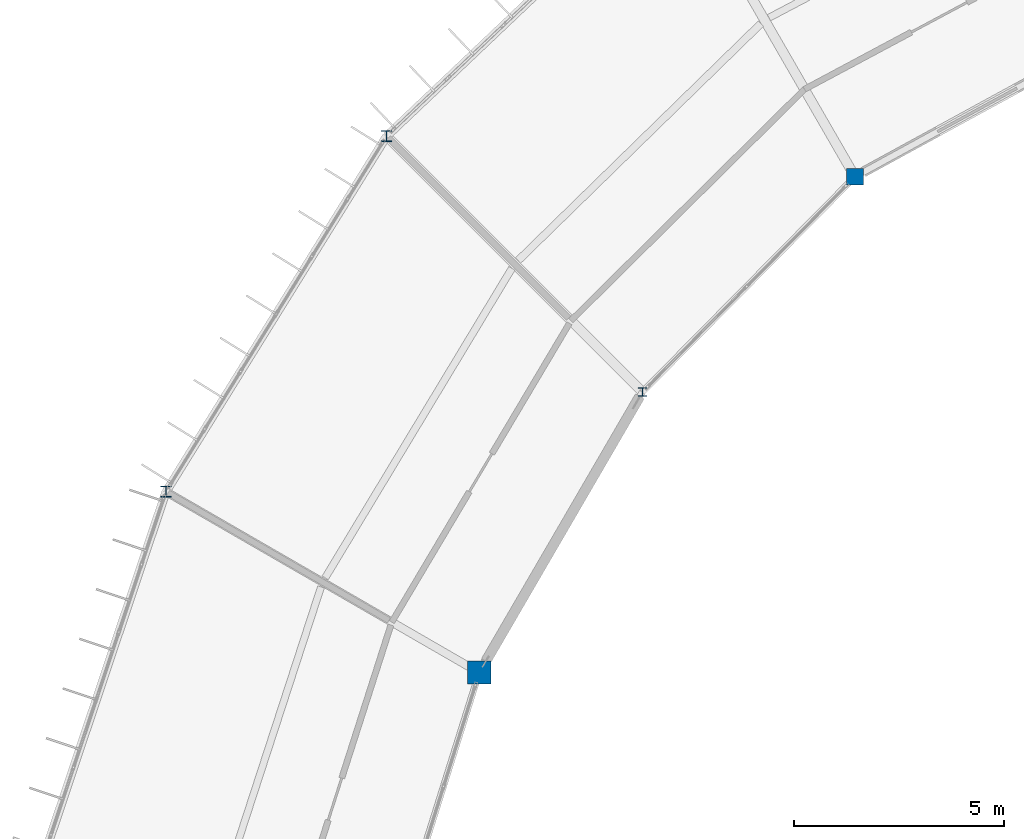
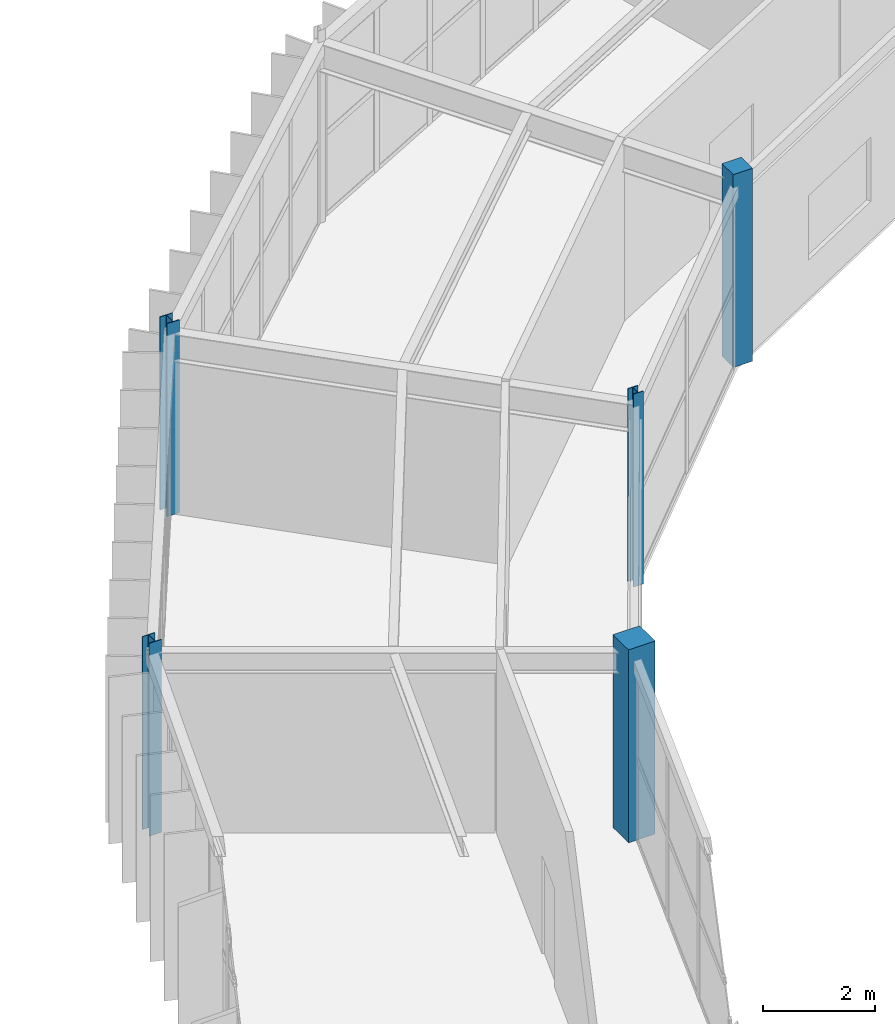
# One storey, part 13 of 130: 5 columns.
"""IFC4 building model written with IfcOpenShell, lengths in metres."""

from ifc_helpers import new_model, si_unit, direction, frame, origin, origin_2d, place, context, subcontext, project, spatial, rectangle, i_section, extrude, material, material_profile, profile_set, type_object, element, save


model = new_model("IFC4")

# Units and contexts
model_context = context("Model", 3, precision=1e-05, world=origin(), true_north=direction((0.0, 1.0)))
body_context = subcontext(model_context, "Body", "Model", "MODEL_VIEW")
ifc_project = project(units=[si_unit("LENGTHUNIT", "METRE"), si_unit("AREAUNIT", "SQUARE_METRE"), si_unit("VOLUMEUNIT", "CUBIC_METRE"), si_unit("PLANEANGLEUNIT", "RADIAN"), si_unit("MASSUNIT", "GRAM", prefix="KILO")], contexts=[model_context])

# Site, building, storey
site_placement = place(None, origin())
site = spatial("IfcSite", under=ifc_project, at=site_placement, CompositionType="ELEMENT")
building_placement = place(site_placement, origin())
building = spatial("IfcBuilding", under=site, at=building_placement, Name="Karori Crest Natural Sciences Institute", CompositionType="ELEMENT")
storey_placement = place(building_placement, frame((0.0, 0.0, 17.5)))
storey = spatial("IfcBuildingStorey", under=building, at=storey_placement, Name="L04", CompositionType="ELEMENT", Elevation=17.5)

# Columns
ifc_material_1 = material(Name="Structural steel AS/NZS 3679.1 Grade 350", Category="steel")
ifc_material_profile_1 = material_profile(ifc_material_1, i_section(OverallWidth=0.256103515625, OverallDepth=0.260009765625, WebThickness=0.010498046875, FlangeThickness=0.017333984375, FilletRadius=0.013916015625, at=origin_2d()), Name="250UC89.5")
ifc_profile_set_1 = profile_set([ifc_material_profile_1], Name="Structural steel AS/NZS 3679.1 Grade 350")
column_type_1 = type_object("IfcColumnType", Name="CT-06", PredefinedType="COLUMN", material=ifc_profile_set_1)
column_1_placement = place(storey_placement, frame((43.0654296875, 78.75, 0.0), z_axis=(0.0, 0.0, 1.0), x_axis=(1.0, 0.0, 0.0)))
element("IfcColumn", 1, at=column_1_placement, inside=storey, type_object=column_type_1, Name="Column C-0167", PredefinedType="COLUMN", context=body_context, shape_type="SweptSolid", body=[
    extrude(i_section(OverallWidth=0.256103515625, OverallDepth=0.260009765625, WebThickness=0.010498046875, FlangeThickness=0.017333984375, FilletRadius=0.013916015625, at=origin_2d()), origin(), (0.0, 0.0, 1.0), 4.199951171875),
])
ifc_material_profile_2 = material_profile(ifc_material_1, i_section(OverallWidth=0.25390625, OverallDepth=0.25390625, WebThickness=0.008544921875, FlangeThickness=0.01416015625, FilletRadius=0.013916015625, at=origin_2d()), Name="250UC72.9")
ifc_profile_set_2 = profile_set([ifc_material_profile_2], Name="Structural steel AS/NZS 3679.1 Grade 350")
column_type_2 = type_object("IfcColumnType", Name="CT-07", PredefinedType="COLUMN", material=ifc_profile_set_2)
column_2_placement = place(storey_placement, frame((37.8212890625, 70.300048828125, 0.0), z_axis=(0.0, 0.0, 1.0), x_axis=(1.0, 0.0, 0.0)))
element("IfcColumn", 2, at=column_2_placement, inside=storey, type_object=column_type_2, Name="Column C-0183", PredefinedType="COLUMN", context=body_context, shape_type="SweptSolid", body=[
    extrude(i_section(OverallWidth=0.25390625, OverallDepth=0.25390625, WebThickness=0.008544921875, FlangeThickness=0.01416015625, FilletRadius=0.013916015625, at=origin_2d()), origin(), (0.0, 0.0, 1.0), 4.199951171875),
])
ifc_material_profile_3 = material_profile(ifc_material_1, i_section(OverallWidth=0.205078125, OverallDepth=0.2099609375, WebThickness=0.00927734375, FlangeThickness=0.01416015625, FilletRadius=0.010986328125, at=origin_2d()), Name="200UC59.5")
ifc_profile_set_3 = profile_set([ifc_material_profile_3], Name="Structural steel AS/NZS 3679.1 Grade 350")
column_type_3 = type_object("IfcColumnType", Name="CT-08", PredefinedType="COLUMN", material=ifc_profile_set_3)
column_3_placement = place(storey_placement, frame((49.146484375, 72.668701171875, 0.0), z_axis=(0.0, 0.0, 1.0), x_axis=(1.0, 0.0, 0.0)))
element("IfcColumn", 3, at=column_3_placement, inside=storey, type_object=column_type_3, Name="Column C-0168", PredefinedType="COLUMN", context=body_context, shape_type="SweptSolid", body=[
    extrude(i_section(OverallWidth=0.205078125, OverallDepth=0.2099609375, WebThickness=0.00927734375, FlangeThickness=0.01416015625, FilletRadius=0.010986328125, at=origin_2d()), origin(), (0.0, 0.0, 1.0), 4.199951171875),
])
ifc_material_2 = material(Name="Concrete 50 MPa", Category="concrete")
ifc_material_profile_4 = material_profile(ifc_material_2, rectangle(XDim=0.550048828125, YDim=0.550048828125, at=origin_2d()), Name="RC550x550")
ifc_profile_set_4 = profile_set([ifc_material_profile_4], Name="Concrete 50 MPa")
column_type_4 = type_object("IfcColumnType", Name="CT-30", PredefinedType="COLUMN", material=ifc_profile_set_4)
column_4_placement = place(storey_placement, frame((45.26904296875, 66.0, 0.0), z_axis=(0.0, 0.0, 1.0), x_axis=(1.0, 0.0, 0.0)))
element("IfcColumn", 4, at=column_4_placement, inside=storey, type_object=column_type_4, Name="Column C-0184", PredefinedType="COLUMN", context=body_context, shape_type="SweptSolid", body=[
    extrude(rectangle(XDim=0.550048828125, YDim=0.550048828125, at=origin_2d()), origin(), (0.0, 0.0, 1.0), 4.199951171875),
])
ifc_material_profile_5 = material_profile(ifc_material_2, rectangle(XDim=0.39990234375, YDim=0.39990234375, at=origin_2d()), Name="RC400x400")
ifc_profile_set_5 = profile_set([ifc_material_profile_5], Name="Concrete 50 MPa")
column_type_5 = type_object("IfcColumnType", Name="CT-31", PredefinedType="PILASTER", material=ifc_profile_set_5)
column_5_placement = place(storey_placement, frame((54.199951171875, 77.785888671875, 0.0), z_axis=(0.0, 0.0, 1.0), x_axis=(1.0, 0.0, 0.0)))
element("IfcColumn", 5, at=column_5_placement, inside=storey, type_object=column_type_5, Name="Column C-0152", PredefinedType="PILASTER", context=body_context, shape_type="SweptSolid", body=[
    extrude(rectangle(XDim=0.39990234375, YDim=0.39990234375, at=origin_2d()), origin(), (0.0, 0.0, 1.0), 4.199951171875),
])

save(model, "model.ifc")
